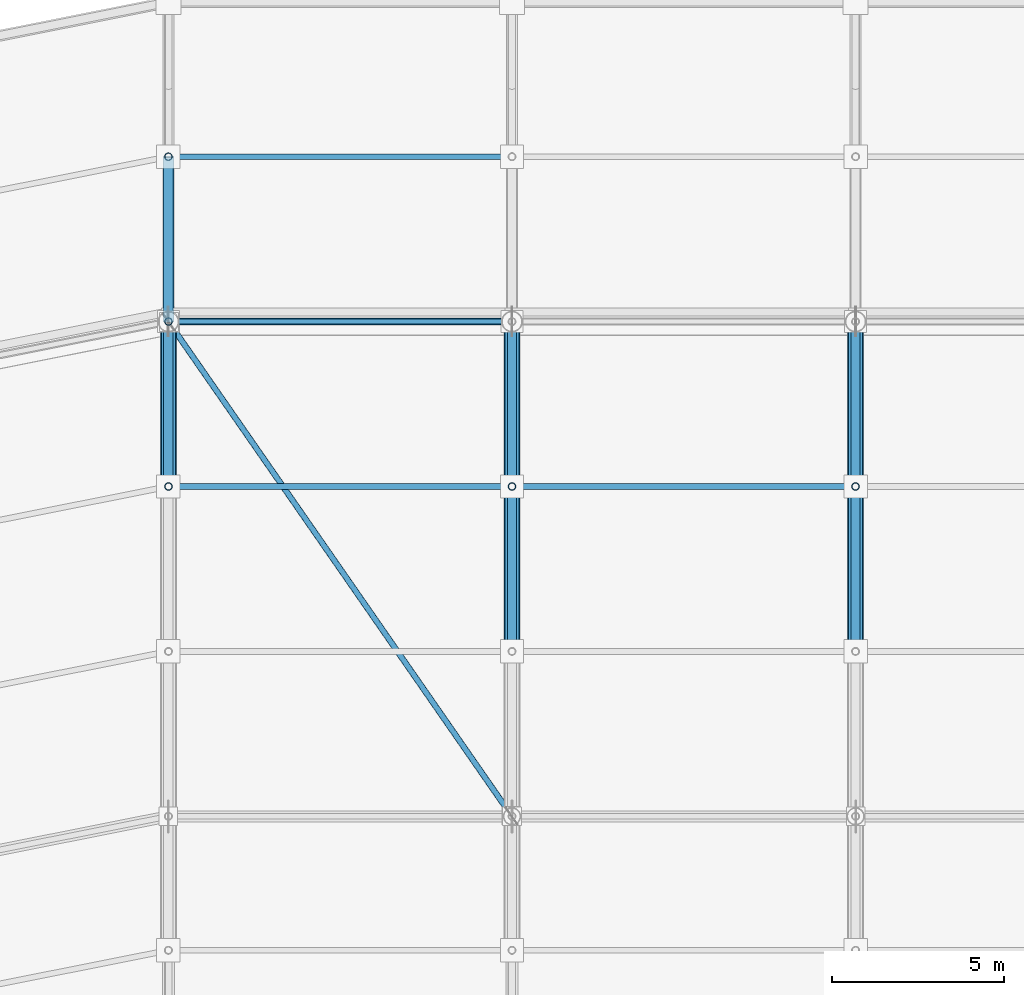
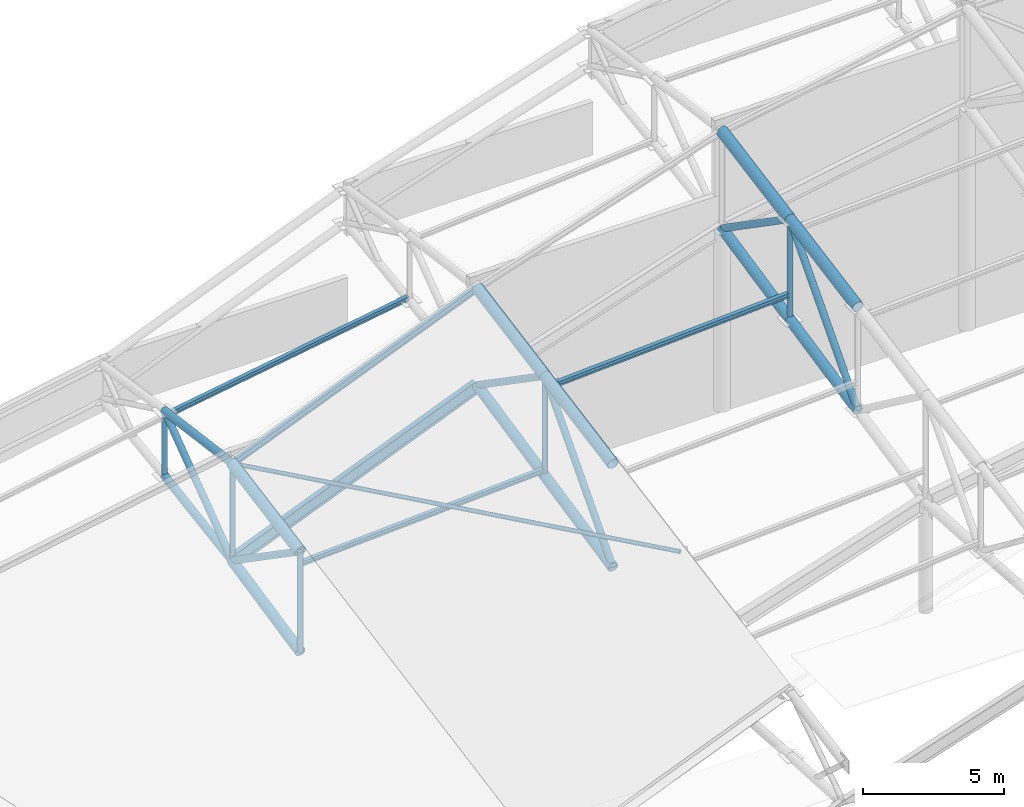
# One storey, part 91 of 146: 27 members, 2 beams.
"""IFC4 building model written with IfcOpenShell, lengths in metres."""

import ifcopenshell
import ifcopenshell.guid

model = None  # the IFC model being written
_history = None  # IfcOwnerHistory: only IFC2X3 demands one
_inside = {}  # id of a spatial element -> (the spatial element, [elements in it])
_under = {}  # id of a project, library or spatial element -> (it, [spatial elements below it])
_declared = {}  # id of a project -> (the project, [libraries it declares])
_typed = {}  # id of a type object -> (the type object, [elements of that type])
_made_of = {}  # id of a material, layer set ... -> (it, [elements and type objects made of it])


def new_model(schema):
    """Start an empty IFC model of exactly this schema.

    Asked for "IFC4X3", IfcOpenShell would pick the latest addendum, in which some entities
    have other attributes; the version numbers below select the first issue.
    IFC2X3 requires an IfcOwnerHistory on every rooted entity: one is made here for all.
    """
    global model, _history
    if schema == "IFC4X3":
        model = ifcopenshell.file(schema_version=(4, 3, 0, 0))
    else:
        model = ifcopenshell.file(schema=schema)
    _inside.clear()
    _under.clear()
    _declared.clear()
    _typed.clear()
    _made_of.clear()
    _history = None
    if model.schema == "IFC2X3":
        org = make("IfcOrganization", Name="unknown")
        user = make(
            "IfcPersonAndOrganization",
            ThePerson=make("IfcPerson", FamilyName="unknown"),
            TheOrganization=org,
        )
        app = make(
            "IfcApplication",
            ApplicationDeveloper=org,
            Version="unknown",
            ApplicationFullName="unknown",
            ApplicationIdentifier="unknown",
        )
        _history = make(
            "IfcOwnerHistory",
            OwningUser=user,
            OwningApplication=app,
            ChangeAction="ADDED",
            CreationDate=0,
        )
    return model


def make(cls, **values):
    """One entity of the class cls with the attributes given. An attribute that is None is left unset."""
    return model.create_entity(
        cls, **{name: value for name, value in values.items() if value is not None}
    )


def rooted(cls, **values):
    """An entity with a GlobalId (a new one), such as an element, a storey or a relation."""
    return make(cls, GlobalId=ifcopenshell.guid.new(), OwnerHistory=_history, **values)


def si_unit(unit_type, name, prefix=None):
    """IfcSIUnit, for example si_unit("LENGTHUNIT", "METRE", prefix="MILLI")."""
    return make("IfcSIUnit", UnitType=unit_type, Prefix=prefix, Name=name)


def assignment(units):
    """IfcUnitAssignment: the units of a project."""
    return None if units is None else make("IfcUnitAssignment", Units=units)


def point(xyz):
    """IfcCartesianPoint."""
    return None if xyz is None else make("IfcCartesianPoint", Coordinates=xyz)


def direction(xyz):
    """IfcDirection."""
    return None if xyz is None else make("IfcDirection", DirectionRatios=xyz)


def frame(location, z_axis=None, x_axis=None):
    """IfcAxis2Placement3D, a coordinate frame: its origin and axes. An axis left out is left unset."""
    return make(
        "IfcAxis2Placement3D",
        Location=point(location),
        Axis=direction(z_axis),
        RefDirection=direction(x_axis),
    )


def frame_2d(location, x_axis=None):
    """IfcAxis2Placement2D, a coordinate frame in the plane: its origin and x axis."""
    return make(
        "IfcAxis2Placement2D", Location=point(location), RefDirection=direction(x_axis)
    )


def origin():
    """The frame at (0, 0, 0) with its axes left unset."""
    return frame((0.0, 0.0, 0.0))


def origin_2d():
    """The frame at (0, 0) in the plane with its x axis left unset."""
    return frame_2d((0.0, 0.0))


def place(relative_to, where):
    """IfcLocalPlacement: puts the frame where relative to a parent placement (None: the world)."""
    return make(
        "IfcLocalPlacement", PlacementRelTo=relative_to, RelativePlacement=where
    )


def context(
    kind, dimensions, precision=None, world=None, true_north=None, identifier=None
):
    """IfcGeometricRepresentationContext, for example the 3D "Model" context."""
    return make(
        "IfcGeometricRepresentationContext",
        ContextIdentifier=identifier,
        ContextType=kind,
        CoordinateSpaceDimension=dimensions,
        Precision=precision,
        WorldCoordinateSystem=world,
        TrueNorth=true_north,
    )


def subcontext(parent, identifier, kind, view, scale=None):
    """IfcGeometricRepresentationSubContext, for example "Body" below "Model"."""
    return make(
        "IfcGeometricRepresentationSubContext",
        ContextIdentifier=identifier,
        ContextType=kind,
        ParentContext=parent,
        TargetScale=scale,
        TargetView=view,
    )


def project(units=None, contexts=None):
    """IfcProject with its units and contexts."""
    return rooted(
        "IfcProject",
        Name="project",
        RepresentationContexts=contexts,
        UnitsInContext=assignment(units),
    )


def spatial(cls, under=None, at=None, **own):
    """A site, building, storey or space (cls), placed at a placement, below another one or the project."""
    s = rooted(cls, ObjectPlacement=at, **own)
    if under is not None:
        _under.setdefault(under.id(), (under, []))[1].append(s)
    return s


def profile(cls, at=None, kind="AREA", **sizes):
    """A parametric profile (cls). Its sizes go by their IFC names, for example OverallWidth=200.0."""
    return make(cls, ProfileType=kind, Position=at, **sizes)


def hollow_circle(**sizes):
    """IfcCircleHollowProfileDef."""
    return profile("IfcCircleHollowProfileDef", **sizes)


def i_section(**sizes):
    """IfcIShapeProfileDef."""
    return profile("IfcIShapeProfileDef", **sizes)


def extrude(swept, where, along, depth):
    """IfcExtrudedAreaSolid: the profile swept, set in the frame where, extruded along a direction by depth."""
    return make(
        "IfcExtrudedAreaSolid",
        SweptArea=swept,
        Position=where,
        ExtrudedDirection=direction(along),
        Depth=depth,
    )


def shape(context_of_items, identifier, shape_type, items):
    """IfcShapeRepresentation: the items that make up one representation, for example the "Body"."""
    return make(
        "IfcShapeRepresentation",
        ContextOfItems=context_of_items,
        RepresentationIdentifier=identifier,
        RepresentationType=shape_type,
        Items=items,
    )


def material(Name=None, Category=None):
    """IfcMaterial."""
    return make("IfcMaterial", Name=Name, Category=Category)


def material_profile(
    of_material, cross_section, Name=None, Category=None, Priority=None
):
    """IfcMaterialProfile: a cross section and its material."""
    return make(
        "IfcMaterialProfile",
        Name=Name,
        Material=of_material,
        Profile=cross_section,
        Priority=Priority,
        Category=Category,
    )


def profile_set(profiles, Name=None, composite=None):
    """IfcMaterialProfileSet."""
    return make(
        "IfcMaterialProfileSet",
        Name=Name,
        MaterialProfiles=profiles,
        CompositeProfile=composite,
    )


def made_of(thing, what):
    """Note that an element or type object is made of a material, layer set ...; save() writes the relation."""
    if what is not None:
        _made_of.setdefault(what.id(), (what, []))[1].append(thing)
    return thing


def type_object(cls, material=None, **own):
    """A type object (cls), such as IfcWallType, which elements share."""
    return made_of(rooted(cls, **own), material)


def element(
    cls,
    number,
    at=None,
    inside=None,
    cuts=None,
    type_object=None,
    material=None,
    context=None,
    identifier="Body",
    shape_type=None,
    held_by="IfcProductDefinitionShape",
    body=None,
    shapes=None,
    **own,
):
    """One element of the class cls, such as IfcWall. Its Tag is "e" and its number.

    at: its placement. inside: the storey or other place that contains it. cuts: it is an
    opening in that element (IfcRelVoidsElement). A single representation is given by context,
    identifier, shape_type and body (its items); several are given by shapes. held_by: the class
    of the entity that holds the representations. save() writes the other relations.
    """
    e = rooted(cls, Tag="e%d" % number, ObjectPlacement=at, **own)
    if body is not None:
        shapes = [shape(context, identifier, shape_type, body)]
    if shapes is not None:
        e.Representation = make(held_by, Representations=shapes)
    if inside is not None:
        _inside.setdefault(inside.id(), (inside, []))[1].append(e)
    if cuts is not None:
        rooted(
            "IfcRelVoidsElement", RelatingBuildingElement=cuts, RelatedOpeningElement=e
        )
    if type_object is not None:
        _typed.setdefault(type_object.id(), (type_object, []))[1].append(e)
    return made_of(e, material)


def aggregate(whole, parts):
    """IfcRelAggregates: a whole, such as a stair, and the parts it consists of."""
    return rooted("IfcRelAggregates", RelatingObject=whole, RelatedObjects=parts)


def save(model, path):
    """Write the relations noted so far, then the file.

    IfcRelAggregates (storeys below a building ...), IfcRelContainedInSpatialStructure (elements
    in a storey), IfcRelDefinesByType, IfcRelAssociatesMaterial and IfcRelDeclares: one each for
    every whole, place, type object, material and project.
    """
    for whole, parts in _under.values():
        aggregate(whole, parts)
    for where, things in _inside.values():
        rooted(
            "IfcRelContainedInSpatialStructure",
            RelatedElements=things,
            RelatingStructure=where,
        )
    for kind, things in _typed.values():
        rooted("IfcRelDefinesByType", RelatedObjects=things, RelatingType=kind)
    for what, things in _made_of.values():
        rooted("IfcRelAssociatesMaterial", RelatedObjects=things, RelatingMaterial=what)
    for by, libraries in _declared.values():
        rooted("IfcRelDeclares", RelatingContext=by, RelatedDefinitions=libraries)
    model.write(path)


model = new_model("IFC4")

# Units and contexts
model_context = context("Model", 3, precision=1e-05, world=origin(), true_north=direction((0.0, 1.0)))
body_context = subcontext(model_context, "Body", "Model", "MODEL_VIEW")
ifc_project = project(units=[si_unit("LENGTHUNIT", "METRE"), si_unit("AREAUNIT", "SQUARE_METRE"), si_unit("VOLUMEUNIT", "CUBIC_METRE"), si_unit("PLANEANGLEUNIT", "RADIAN"), si_unit("MASSUNIT", "GRAM", prefix="KILO")], contexts=[model_context])

# Site, building, storey
site_placement = place(None, origin())
site = spatial("IfcSite", under=ifc_project, at=site_placement, CompositionType="ELEMENT")
building_placement = place(site_placement, origin())
building = spatial("IfcBuilding", under=site, at=building_placement, Name="Candeia Ridge Stadium", CompositionType="ELEMENT")
storey_placement = place(building_placement, frame((0.0, 0.0, 31.800048828125)))
storey = spatial("IfcBuildingStorey", under=building, at=storey_placement, Name="RF", CompositionType="ELEMENT", Elevation=31.800048828125)

# Beams
ifc_material = material(Name="Steel ASTM A572 Grade 50", Category="steel")
ifc_material_profile_1 = material_profile(ifc_material, i_section(OverallWidth=0.14794921875, OverallDepth=0.26611328125, WebThickness=0.007568359375, FlangeThickness=0.012939453125, FilletRadius=0.010986328125, at=origin_2d()), Name="W250x44.8", Category="steel")
ifc_profile_set_1 = profile_set([ifc_material_profile_1], Name="Steel ASTM A572 Grade 50")
beam_type_1 = type_object("IfcBeamType", Name="Canopy Edge Spandrel W250x44.8", PredefinedType="SPANDREL", material=ifc_profile_set_1)
beam_1_placement = place(storey_placement, frame((80.962890625, 147.0, 8.663330078125), z_axis=(-0.925945510704, 0.0, -0.377657134457), x_axis=(0.0, -1.0, 0.0)))
element("IfcBeam", 1, at=beam_1_placement, inside=storey, type_object=beam_type_1, Name="Roof crown cap ring beam bay 07", PredefinedType="SPANDREL", context=body_context, shape_type="SweptSolid", body=[
    extrude(i_section(OverallWidth=0.14794921875, OverallDepth=0.26611328125, WebThickness=0.007568359375, FlangeThickness=0.012939453125, FilletRadius=0.010986328125, at=origin_2d()), origin(), (0.0, 0.0, 1.0), 10.7197265625),
])
ifc_material_profile_2 = material_profile(ifc_material, i_section(OverallWidth=0.2119140625, OverallDepth=0.5439453125, WebThickness=0.01318359375, FlangeThickness=0.021240234375, FilletRadius=0.013916015625, at=origin_2d()), Name="W530x123", Category="steel")
ifc_profile_set_2 = profile_set([ifc_material_profile_2], Name="Steel ASTM A572 Grade 50")
beam_type_2 = type_object("IfcBeamType", Name="Roof Perimeter Ring Beam W530x123", PredefinedType="BEAM", material=ifc_profile_set_2)
beam_2_placement = place(storey_placement, frame((80.962890625, 147.0, 4.46337890625), z_axis=(-0.925945510704, 0.0, -0.377657134457), x_axis=(0.0, -1.0, 0.0)))
element("IfcBeam", 2, at=beam_2_placement, inside=storey, type_object=beam_type_2, Name="Roof perimeter ring beam bay 07", PredefinedType="BEAM", context=body_context, shape_type="SweptSolid", body=[
    extrude(i_section(OverallWidth=0.2119140625, OverallDepth=0.5439453125, WebThickness=0.01318359375, FlangeThickness=0.021240234375, FilletRadius=0.013916015625, at=origin_2d()), origin(), (0.0, 0.0, 1.0), 10.7197265625),
])

# Members
ifc_material_profile_3 = material_profile(ifc_material, hollow_circle(Radius=0.084228515625, WallThickness=0.008056640625, at=origin_2d()), Name="CHS168x8", Category="steel")
ifc_profile_set_3 = profile_set([ifc_material_profile_3], Name="Steel ASTM A572 Grade 50")
member_type_1 = type_object("IfcMemberType", Name="Roof Plan Wind Brace CHS168x8", PredefinedType="BRACE", material=ifc_profile_set_3)
member_1_placement = place(storey_placement, frame((80.988525390625, 132.616455078125, 6.012939453125), z_axis=(-0.568541744595, 0.818713468065, -0.080427245767), x_axis=(-0.821374325115, -0.570389531848, 0.0)))
element("IfcMember", 3, at=member_1_placement, inside=storey, type_object=member_type_1, Name="Roof plane wind brace bay 07", PredefinedType="BRACE", context=body_context, shape_type="SweptSolid", body=[
    extrude(hollow_circle(Radius=0.084228515625, WallThickness=0.008056640625, at=origin_2d()), origin(), (0.0, 0.0, 1.0), 17.548583984375),
])
ifc_material_profile_4 = material_profile(ifc_material, i_section(OverallWidth=0.1650390625, OverallDepth=0.200927734375, WebThickness=0.006103515625, FlangeThickness=0.01025390625, FilletRadius=0.010009765625, at=origin_2d()), Name="W200x35.9", Category="steel")
ifc_profile_set_4 = profile_set([ifc_material_profile_4], Name="Steel ASTM A572 Grade 50")
member_type_2 = type_object("IfcMemberType", Name="Roof Purlin W200x35.9", PredefinedType="PURLIN", material=ifc_profile_set_4)
for number, where, z_axis, x_axis, name in (
    (4, (90.9501953125, 142.199951171875, 7.82763671875), (-0.998435557369, 0.0, -0.055914557871), (0.0, -1.0, 0.0), "Saddle roof steel purlin bay 06-4"),
    (5, (80.9501953125, 142.199951171875, 3.749267578125), (-0.998435557369, 0.0, -0.055914557871), (0.0, -1.0, 0.0), "Saddle roof steel purlin bay 07-4"),
):
    element("IfcMember", number, at=place(storey_placement, frame(where, z_axis=z_axis, x_axis=x_axis)), inside=storey, type_object=member_type_2, Name=name, PredefinedType="PURLIN", context=body_context, shape_type="SweptSolid", body=[
        extrude(i_section(OverallWidth=0.1650390625, OverallDepth=0.200927734375, WebThickness=0.006103515625, FlangeThickness=0.01025390625, FilletRadius=0.010009765625, at=origin_2d()), origin(), (0.0, 0.0, 1.0), 9.916015625),
    ])
member_2_placement = place(storey_placement, frame((80.95068359375, 151.800048828125, 5.3623046875), z_axis=(-0.986942119653, 0.0, -0.161075300572), x_axis=(0.0, -1.0, 0.0)))
element("IfcMember", 6, at=member_2_placement, inside=storey, type_object=member_type_2, Name="Saddle roof steel purlin bay 07-5", PredefinedType="PURLIN", context=body_context, shape_type="SweptSolid", body=[
    extrude(i_section(OverallWidth=0.1650390625, OverallDepth=0.200927734375, WebThickness=0.006103515625, FlangeThickness=0.01025390625, FilletRadius=0.010009765625, at=origin_2d()), origin(), (0.0, 0.0, 1.0), 10.032470703125),
])
ifc_material_profile_5 = material_profile(ifc_material, hollow_circle(Radius=0.161865234375, WallThickness=0.012451171875, at=origin_2d()), Name="CHS323x12", Category="steel")
ifc_profile_set_5 = profile_set([ifc_material_profile_5], Name="Steel ASTM A572 Grade 50")
member_type_3 = type_object("IfcMemberType", Name="Roof Truss Eaves Chord CHS323x12", PredefinedType="CHORD", material=ifc_profile_set_5)
member_3_placement = place(storey_placement, frame((71.0, 147.0, 4.599853515625), z_axis=(0.0, 0.991184698971, -0.132487329683), x_axis=(-1.0, 0.0, 0.0)))
element("IfcMember", 7, at=member_3_placement, inside=storey, type_object=member_type_3, Name="Roof cantilever truss RT-08 top chord 7", PredefinedType="CHORD", context=body_context, shape_type="SweptSolid", body=[
    extrude(hollow_circle(Radius=0.161865234375, WallThickness=0.012451171875, at=origin_2d()), origin(), (0.0, 0.0, 1.0), 4.8427734375),
])
member_4_placement = place(storey_placement, frame((71.0, 147.0, 0.39990234375), z_axis=(0.0, 0.987950881294, 0.154767749066), x_axis=(-1.0, 0.0, 0.0)))
element("IfcMember", 8, at=member_4_placement, inside=storey, type_object=member_type_3, Name="Roof cantilever truss RT-08 bottom chord 7", PredefinedType="CHORD", context=body_context, shape_type="SweptSolid", body=[
    extrude(hollow_circle(Radius=0.161865234375, WallThickness=0.012451171875, at=origin_2d()), origin(), (0.0, 0.0, 1.0), 4.858642578125),
])
ifc_material_profile_6 = material_profile(ifc_material, hollow_circle(Radius=0.136474609375, WallThickness=0.010009765625, at=origin_2d()), Name="CHS273x10", Category="steel")
ifc_profile_set_6 = profile_set([ifc_material_profile_6], Name="Steel ASTM A572 Grade 50")
member_type_4 = type_object("IfcMemberType", Name="Roof Truss Heavy Web Brace CHS273x10", PredefinedType="BRACE", material=ifc_profile_set_6)
member_5_placement = place(storey_placement, frame((91.0, 137.39990234375, 5.70654296875), z_axis=(0.0, 0.667504126232, 0.744606098191), x_axis=(-1.0, 0.0, 0.0)))
element("IfcMember", 9, at=member_5_placement, inside=storey, type_object=member_type_4, Name="Roof cantilever truss RT-06 diagonal web 5", PredefinedType="BRACE", context=body_context, shape_type="SweptSolid", body=[
    extrude(hollow_circle(Radius=0.136474609375, WallThickness=0.010009765625, at=origin_2d()), origin(), (0.0, 0.0, 1.0), 7.19091796875),
])
member_6_placement = place(storey_placement, frame((91.0, 142.199951171875, 11.06103515625), z_axis=(0.0, 0.823101445803, -0.567894365104), x_axis=(-1.0, 0.0, 0.0)))
element("IfcMember", 10, at=member_6_placement, inside=storey, type_object=member_type_4, Name="Roof cantilever truss RT-06 diagonal web 6", PredefinedType="BRACE", context=body_context, shape_type="SweptSolid", body=[
    extrude(hollow_circle(Radius=0.136474609375, WallThickness=0.010009765625, at=origin_2d()), origin(), (0.0, 0.0, 1.0), 5.83154296875),
])
member_7_placement = place(storey_placement, frame((81.0, 137.39990234375, 2.435791015625), z_axis=(0.0, 0.667487252066, 0.744621224737), x_axis=(-1.0, 0.0, 0.0)))
element("IfcMember", 11, at=member_7_placement, inside=storey, type_object=member_type_4, Name="Roof cantilever truss RT-07 diagonal web 5", PredefinedType="BRACE", context=body_context, shape_type="SweptSolid", body=[
    extrude(hollow_circle(Radius=0.136474609375, WallThickness=0.010009765625, at=origin_2d()), origin(), (0.0, 0.0, 1.0), 7.191162109375),
])
for number, where, z_axis, x_axis, name in (
    (12, (81.0, 142.199951171875, 7.79052734375), (0.0, 0.823081876777, -0.567922727245), (-1.0, 0.0, 0.0), "Roof cantilever truss RT-07 diagonal web 6"),
    (13, (71.0, 142.199951171875, 3.7119140625), (0.0, 0.823081876777, -0.567922727245), (-1.0, 0.0, 0.0), "Roof cantilever truss RT-08 diagonal web 6"),
):
    element("IfcMember", number, at=place(storey_placement, frame(where, z_axis=z_axis, x_axis=x_axis)), inside=storey, type_object=member_type_4, Name=name, PredefinedType="BRACE", context=body_context, shape_type="SweptSolid", body=[
        extrude(hollow_circle(Radius=0.136474609375, WallThickness=0.010009765625, at=origin_2d()), origin(), (0.0, 0.0, 1.0), 5.831787109375),
    ])
member_8_placement = place(storey_placement, frame((71.0, 147.0, 0.39990234375), z_axis=(0.0, 0.803336374347, 0.595525540721), x_axis=(-1.0, 0.0, 0.0)))
element("IfcMember", 14, at=member_8_placement, inside=storey, type_object=member_type_4, Name="Roof cantilever truss RT-08 diagonal web 7", PredefinedType="BRACE", context=body_context, shape_type="SweptSolid", body=[
    extrude(hollow_circle(Radius=0.136474609375, WallThickness=0.010009765625, at=origin_2d()), origin(), (0.0, 0.0, 1.0), 5.97509765625),
])
ifc_material_profile_7 = material_profile(ifc_material, hollow_circle(Radius=0.109619140625, WallThickness=0.010009765625, at=origin_2d()), Name="CHS219x10", Category="steel")
ifc_profile_set_7 = profile_set([ifc_material_profile_7], Name="Steel ASTM A572 Grade 50")
member_type_5 = type_object("IfcMemberType", Name="Roof Truss Inner Web Brace CHS219x10", PredefinedType="BRACE", material=ifc_profile_set_7)
member_9_placement = place(storey_placement, frame((91.0, 142.199951171875, 6.727783203125), z_axis=(0.0, 0.0, 1.0), x_axis=(1.0, 0.0, 0.0)))
element("IfcMember", 15, at=member_9_placement, inside=storey, type_object=member_type_5, Name="Roof cantilever truss RT-06 vertical post 5", PredefinedType="BRACE", context=body_context, shape_type="SweptSolid", body=[
    extrude(hollow_circle(Radius=0.109619140625, WallThickness=0.010009765625, at=origin_2d()), origin(), (0.0, 0.0, 1.0), 4.333251953125),
])
member_10_placement = place(storey_placement, frame((81.0, 142.199951171875, 3.45703125), z_axis=(0.0, 0.0, 1.0), x_axis=(1.0, 0.0, 0.0)))
element("IfcMember", 16, at=member_10_placement, inside=storey, type_object=member_type_5, Name="Roof cantilever truss RT-07 vertical post 5", PredefinedType="BRACE", context=body_context, shape_type="SweptSolid", body=[
    extrude(hollow_circle(Radius=0.109619140625, WallThickness=0.010009765625, at=origin_2d()), origin(), (0.0, 0.0, 1.0), 4.33349609375),
])
member_11_placement = place(storey_placement, frame((71.0, 142.199951171875, -0.621337890625), z_axis=(0.0, 0.0, 1.0), x_axis=(1.0, 0.0, 0.0)))
element("IfcMember", 17, at=member_11_placement, inside=storey, type_object=member_type_5, Name="Roof cantilever truss RT-08 vertical post 5", PredefinedType="BRACE", context=body_context, shape_type="SweptSolid", body=[
    extrude(hollow_circle(Radius=0.109619140625, WallThickness=0.010009765625, at=origin_2d()), origin(), (0.0, 0.0, 1.0), 4.333251953125),
])
member_12_placement = place(storey_placement, frame((71.0, 147.0, 0.39990234375), z_axis=(0.0, 0.0, 1.0), x_axis=(1.0, 0.0, 0.0)))
element("IfcMember", 18, at=member_12_placement, inside=storey, type_object=member_type_5, Name="Roof cantilever truss RT-08 vertical post 6", PredefinedType="BRACE", context=body_context, shape_type="SweptSolid", body=[
    extrude(hollow_circle(Radius=0.109619140625, WallThickness=0.010009765625, at=origin_2d()), origin(), (0.0, 0.0, 1.0), 4.199951171875),
])
member_13_placement = place(storey_placement, frame((71.0, 151.800048828125, 1.15185546875), z_axis=(0.0, 0.0, 1.0), x_axis=(1.0, 0.0, 0.0)))
element("IfcMember", 19, at=member_13_placement, inside=storey, type_object=member_type_5, Name="Roof cantilever truss RT-08 vertical post 7", PredefinedType="BRACE", context=body_context, shape_type="SweptSolid", body=[
    extrude(hollow_circle(Radius=0.109619140625, WallThickness=0.010009765625, at=origin_2d()), origin(), (0.0, 0.0, 1.0), 2.806396484375),
])
ifc_material_profile_8 = material_profile(ifc_material, hollow_circle(Radius=0.228515625, WallThickness=0.02001953125, at=origin_2d()), Name="CHS457x20", Category="steel")
ifc_profile_set_8 = profile_set([ifc_material_profile_8], Name="Steel ASTM A572 Grade 50")
member_type_6 = type_object("IfcMemberType", Name="Roof Truss Main Chord CHS457x20", PredefinedType="CHORD", material=ifc_profile_set_8)
for number, where, z_axis, x_axis, name in (
    (20, (91.0, 137.39990234375, 10.173095703125), (0.0, 0.983317142098, 0.181899417416), (-1.0, 0.0, 0.0), "Roof cantilever truss RT-06 top chord 5"),
    (21, (91.0, 142.199951171875, 11.06103515625), (0.0, 0.983308195319, 0.181947775524), (-1.0, 0.0, 0.0), "Roof cantilever truss RT-06 top chord 6"),
    (22, (81.0, 137.39990234375, 6.90234375), (0.0, 0.983308195319, 0.181947775524), (-1.0, 0.0, 0.0), "Roof cantilever truss RT-07 top chord 5"),
    (23, (81.0, 142.199951171875, 7.79052734375), (0.0, 0.983317142098, 0.181899417416), (-1.0, 0.0, 0.0), "Roof cantilever truss RT-07 top chord 6"),
    (24, (71.0, 142.199951171875, 3.7119140625), (0.0, 0.983317142098, 0.181899417416), (-1.0, 0.0, 0.0), "Roof cantilever truss RT-08 top chord 6"),
):
    element("IfcMember", number, at=place(storey_placement, frame(where, z_axis=z_axis, x_axis=x_axis)), inside=storey, type_object=member_type_6, Name=name, PredefinedType="CHORD", context=body_context, shape_type="SweptSolid", body=[
        extrude(hollow_circle(Radius=0.228515625, WallThickness=0.02001953125, at=origin_2d()), origin(), (0.0, 0.0, 1.0), 4.881591796875),
    ])
ifc_material_profile_9 = material_profile(ifc_material, hollow_circle(Radius=0.202880859375, WallThickness=0.01611328125, at=origin_2d()), Name="CHS406x16", Category="steel")
ifc_profile_set_9 = profile_set([ifc_material_profile_9], Name="Steel ASTM A572 Grade 50")
member_type_7 = type_object("IfcMemberType", Name="Roof Truss Outer Chord CHS406x16", PredefinedType="CHORD", material=ifc_profile_set_9)
for number, where, z_axis, x_axis, name in (
    (25, (91.0, 137.39990234375, 5.70654296875), (0.0, 0.97810786804, 0.208098530696), (-1.0, 0.0, 0.0), "Roof cantilever truss RT-06 bottom chord 5"),
    (26, (91.0, 142.199951171875, 6.727783203125), (0.0, 0.978097741011, 0.208146124225), (-1.0, 0.0, 0.0), "Roof cantilever truss RT-06 bottom chord 6"),
    (27, (81.0, 137.39990234375, 2.435791015625), (0.0, 0.97810786804, 0.208098530696), (-1.0, 0.0, 0.0), "Roof cantilever truss RT-07 bottom chord 5"),
    (28, (81.0, 142.199951171875, 3.45703125), (0.0, 0.978097741011, 0.208146124225), (-1.0, 0.0, 0.0), "Roof cantilever truss RT-07 bottom chord 6"),
    (29, (71.0, 142.199951171875, -0.621337890625), (0.0, 0.97810786804, 0.208098530696), (-1.0, 0.0, 0.0), "Roof cantilever truss RT-08 bottom chord 6"),
):
    element("IfcMember", number, at=place(storey_placement, frame(where, z_axis=z_axis, x_axis=x_axis)), inside=storey, type_object=member_type_7, Name=name, PredefinedType="CHORD", context=body_context, shape_type="SweptSolid", body=[
        extrude(hollow_circle(Radius=0.202880859375, WallThickness=0.01611328125, at=origin_2d()), origin(), (0.0, 0.0, 1.0), 4.907470703125),
    ])

save(model, "model.ifc")
